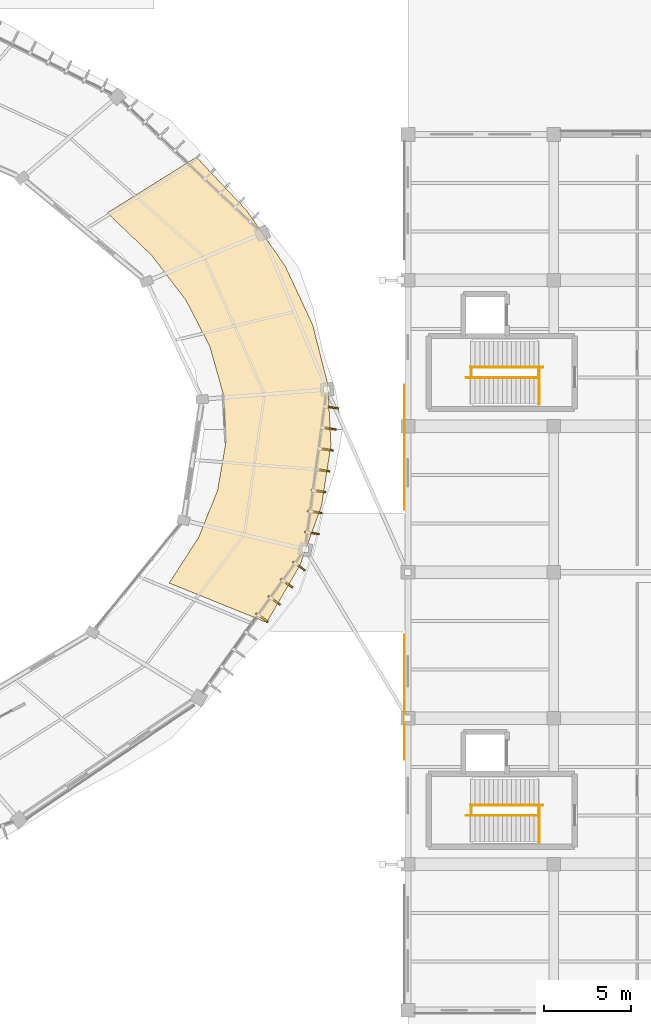
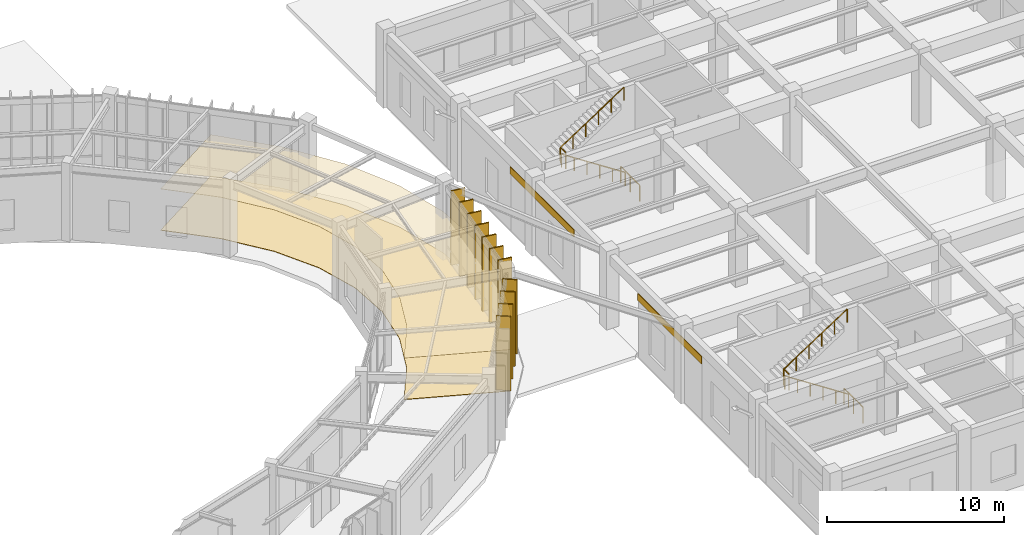
# One storey, part 155 of 157: 11 shading devices, 8 railings, 4 coverings.
"""IFC4 building model written with IfcOpenShell, lengths in metres."""

from ifc_helpers import new_model, si_unit, direction, frame, origin, origin_2d, place, context, subcontext, project, spatial, polyline, rectangle, circle, outline, extrude, material, layer, layer_set, type_object, element, save


model = new_model("IFC4")

# Units and contexts
model_context = context("Model", 3, precision=1e-05, world=origin(), true_north=direction((0.0, 1.0)))
body_context = subcontext(model_context, "Body", "Model", "MODEL_VIEW")
ifc_project = project(units=[si_unit("LENGTHUNIT", "METRE"), si_unit("AREAUNIT", "SQUARE_METRE"), si_unit("VOLUMEUNIT", "CUBIC_METRE"), si_unit("PLANEANGLEUNIT", "RADIAN"), si_unit("MASSUNIT", "GRAM", prefix="KILO"), si_unit("THERMODYNAMICTEMPERATUREUNIT", "KELVIN"), si_unit("POWERUNIT", "WATT")], contexts=[model_context])

# Site, building, storey
site_placement = place(None, origin())
site = spatial("IfcSite", under=ifc_project, at=site_placement, CompositionType="ELEMENT")
building_placement = place(site_placement, origin())
building = spatial("IfcBuilding", under=site, at=building_placement, Name="Darbajah Civic Hall", CompositionType="ELEMENT")
storey_placement = place(building_placement, origin())
storey = spatial("IfcBuildingStorey", under=building, at=storey_placement, Name="L00", CompositionType="ELEMENT", Elevation=0.0)

# Railings
ifc_material_1 = material(Name="Brushed Bronze Stainless Steel", Category="steel")
railing_type_1 = type_object("IfcRailingType", Name="Brushed Bronze Handrail", PredefinedType="HANDRAIL", material=ifc_material_1)
railing_1_placement = place(storey_placement, frame((152.1201171875, 92.800048828125, 0.168701171875)))
element("IfcRailing", 1, at=railing_1_placement, inside=storey, type_object=railing_type_1, Name="ST08 L00 lower flight handrail", PredefinedType="HANDRAIL", context=body_context, shape_type="SweptSolid", body=[
    extrude(circle(Radius=0.02392578125, at=origin_2d()), frame((-0.02294921875, 0.0, 0.910888671875), z_axis=(-0.837094212588, 0.0, 0.547058753016), x_axis=(0.0, -1.0, 0.0)), (0.0, 0.0, 1.0), 4.915283203125),
    extrude(circle(Radius=0.02099609375, at=origin_2d()), origin(), (0.0, 0.0, 1.0), 0.867919921875),
    extrude(circle(Radius=0.02099609375, at=origin_2d()), frame((-0.83203125, 0.0, 0.543701171875)), (0.0, 0.0, 1.0), 0.867919921875),
    extrude(circle(Radius=0.02099609375, at=origin_2d()), frame((-1.6640625, 0.0, 1.08740234375)), (0.0, 0.0, 1.0), 0.867919921875),
    extrude(circle(Radius=0.02099609375, at=origin_2d()), frame((-2.49609375, 0.0, 1.63134765625)), (0.0, 0.0, 1.0), 0.867919921875),
    extrude(circle(Radius=0.02099609375, at=origin_2d()), frame((-3.328125, 0.0, 2.175048828125)), (0.0, 0.0, 1.0), 0.867919921875),
    extrude(circle(Radius=0.02099609375, at=origin_2d()), frame((-4.16015625, 0.0, 2.71875)), (0.0, 0.0, 1.0), 0.867919921875),
])
railing_2_placement = place(storey_placement, frame((148.219970703125, 93.39990234375, 2.86865234375)))
element("IfcRailing", 2, at=railing_2_placement, inside=storey, type_object=railing_type_1, Name="ST08 L00 upper flight handrail", PredefinedType="HANDRAIL", context=body_context, shape_type="SweptSolid", body=[
    extrude(circle(Radius=0.02392578125, at=origin_2d()), frame((0.02294921875, 0.0, 0.910888671875), z_axis=(0.837079509808, 0.0, 0.547081250145), x_axis=(0.0, 1.0, 0.0)), (0.0, 0.0, 1.0), 4.9150390625),
    extrude(circle(Radius=0.02099609375, at=origin_2d()), origin(), (0.0, 0.0, 1.0), 0.867919921875),
    extrude(circle(Radius=0.02099609375, at=origin_2d()), frame((0.83203125, 0.0, 0.543701171875)), (0.0, 0.0, 1.0), 0.867919921875),
    extrude(circle(Radius=0.02099609375, at=origin_2d()), frame((1.6640625, 0.0, 1.08740234375)), (0.0, 0.0, 1.0), 0.867919921875),
    extrude(circle(Radius=0.02099609375, at=origin_2d()), frame((2.495849609375, 0.0, 1.63134765625)), (0.0, 0.0, 1.0), 0.867919921875),
    extrude(circle(Radius=0.02099609375, at=origin_2d()), frame((3.327880859375, 0.0, 2.175048828125)), (0.0, 0.0, 1.0), 0.867919921875),
    extrude(circle(Radius=0.02099609375, at=origin_2d()), frame((4.159912109375, 0.0, 2.71875)), (0.0, 0.0, 1.0), 0.867919921875),
])
railing_3_placement = place(storey_placement, frame((152.1201171875, 67.60009765625, 0.168701171875)))
element("IfcRailing", 3, at=railing_3_placement, inside=storey, type_object=railing_type_1, Name="ST09 L00 lower flight handrail", PredefinedType="HANDRAIL", context=body_context, shape_type="SweptSolid", body=[
    extrude(circle(Radius=0.02392578125, at=origin_2d()), frame((-0.02294921875, 0.0, 0.910888671875), z_axis=(-0.837094212588, 0.0, 0.547058753016), x_axis=(0.0, -1.0, 0.0)), (0.0, 0.0, 1.0), 4.915283203125),
    extrude(circle(Radius=0.02099609375, at=origin_2d()), origin(), (0.0, 0.0, 1.0), 0.867919921875),
    extrude(circle(Radius=0.02099609375, at=origin_2d()), frame((-0.83203125, 0.0, 0.543701171875)), (0.0, 0.0, 1.0), 0.867919921875),
    extrude(circle(Radius=0.02099609375, at=origin_2d()), frame((-1.6640625, 0.0, 1.08740234375)), (0.0, 0.0, 1.0), 0.867919921875),
    extrude(circle(Radius=0.02099609375, at=origin_2d()), frame((-2.49609375, 0.0, 1.63134765625)), (0.0, 0.0, 1.0), 0.867919921875),
    extrude(circle(Radius=0.02099609375, at=origin_2d()), frame((-3.328125, 0.0, 2.175048828125)), (0.0, 0.0, 1.0), 0.867919921875),
    extrude(circle(Radius=0.02099609375, at=origin_2d()), frame((-4.16015625, 0.0, 2.71875)), (0.0, 0.0, 1.0), 0.867919921875),
])
railing_4_placement = place(storey_placement, frame((148.219970703125, 68.199951171875, 2.86865234375)))
element("IfcRailing", 4, at=railing_4_placement, inside=storey, type_object=railing_type_1, Name="ST09 L00 upper flight handrail", PredefinedType="HANDRAIL", context=body_context, shape_type="SweptSolid", body=[
    extrude(circle(Radius=0.02392578125, at=origin_2d()), frame((0.02294921875, 0.0, 0.910888671875), z_axis=(0.837079509808, 0.0, 0.547081250145), x_axis=(0.0, 1.0, 0.0)), (0.0, 0.0, 1.0), 4.9150390625),
    extrude(circle(Radius=0.02099609375, at=origin_2d()), origin(), (0.0, 0.0, 1.0), 0.867919921875),
    extrude(circle(Radius=0.02099609375, at=origin_2d()), frame((0.83203125, 0.0, 0.543701171875)), (0.0, 0.0, 1.0), 0.867919921875),
    extrude(circle(Radius=0.02099609375, at=origin_2d()), frame((1.6640625, 0.0, 1.08740234375)), (0.0, 0.0, 1.0), 0.867919921875),
    extrude(circle(Radius=0.02099609375, at=origin_2d()), frame((2.495849609375, 0.0, 1.63134765625)), (0.0, 0.0, 1.0), 0.867919921875),
    extrude(circle(Radius=0.02099609375, at=origin_2d()), frame((3.327880859375, 0.0, 2.175048828125)), (0.0, 0.0, 1.0), 0.867919921875),
    extrude(circle(Radius=0.02099609375, at=origin_2d()), frame((4.159912109375, 0.0, 2.71875)), (0.0, 0.0, 1.0), 0.867919921875),
])

# Covering
ifc_material_2 = material(Name="Honed Qatari Limestone Terrazzo", Category="masonry")
ifc_layer_1 = layer(ifc_material_2, 0.030029296875, Name="Honed Qatari Limestone Terrazzo")
ifc_layer_set_1 = layer_set([ifc_layer_1], Name="Honed Qatari Limestone Terrazzo")
covering_type_1 = type_object("IfcCoveringType", Name="Honed Qatari Limestone Terrazzo Flooring", PredefinedType="FLOORING", material=ifc_layer_set_1)
covering_1_placement = place(storey_placement, origin())
element("IfcCovering", 5, at=covering_1_placement, inside=storey, type_object=covering_type_1, Name="L00 stone terrazzo flooring L00-V1-02", PredefinedType="FLOORING", context=body_context, shape_type="SweptSolid", body=[
    extrude(outline(polyline([(136.47900390625, 78.711669921875), (138.400634765625, 82.014404296875), (139.638671875, 85.4248046875), (140.17626953125, 88.89599609375), (140.005615234375, 92.3798828125), (139.129150390625, 95.827880859375), (137.559326171875, 99.192138671875), (135.317626953125, 102.426513671875), (132.435302734375, 105.485595703125), (127.3046875, 102.279541015625), (129.845703125, 99.845703125), (131.822021484375, 97.2724609375), (133.2060546875, 94.595703125), (133.978515625, 91.8525390625), (134.12890625, 89.080810546875), (133.6552734375, 86.319091796875), (132.563720703125, 83.605712890625), (130.86962890625, 80.97802734375), (136.47900390625, 78.711669921875)])), origin(), (0.0, 0.0, 1.0), 0.030029296875),
])

# Railings
ifc_material_3 = material(Name="Brushed Bronze and Laminated Safety Glass", Category="glass")
railing_type_2 = type_object("IfcRailingType", Name="Interior Guard Balustrade", PredefinedType="BALUSTRADE", material=ifc_material_3)
railing_5_placement = place(storey_placement, frame((152.169921875, 91.25, 0.0)))
element("IfcRailing", 6, at=railing_5_placement, inside=storey, type_object=railing_type_2, Name="ST08 L00 stair-well edge guard", PredefinedType="BALUSTRADE", context=body_context, shape_type="SweptSolid", body=[
    extrude(circle(Radius=0.02392578125, at=origin_2d()), frame((0.0, 0.02734375, 1.09619140625), z_axis=(0.0, 1.0, 0.0), x_axis=(-1.0, 0.0, 0.0)), (0.0, 0.0, 1.0), 2.09521484375),
    extrude(circle(Radius=0.02099609375, at=origin_2d()), origin(), (0.0, 0.0, 1.0), 1.068115234375),
    extrude(circle(Radius=0.02099609375, at=origin_2d()), frame((0.0, 1.074951171875, 0.0)), (0.0, 0.0, 1.0), 1.068115234375),
    extrude(circle(Radius=0.02099609375, at=origin_2d()), frame((0.0, 2.14990234375, 0.0)), (0.0, 0.0, 1.0), 1.068115234375),
])
railing_6_placement = place(storey_placement, frame((148.239990234375, 92.800048828125, 2.699951171875)))
element("IfcRailing", 7, at=railing_6_placement, inside=storey, type_object=railing_type_2, Name="ST08 L00 landing well guard", PredefinedType="BALUSTRADE", context=body_context, shape_type="SweptSolid", body=[
    extrude(circle(Radius=0.02392578125, at=origin_2d()), frame((0.0, 0.02734375, 1.09619140625), z_axis=(0.0, 1.0, 0.0), x_axis=(-1.0, 0.0, 0.0)), (0.0, 0.0, 1.0), 0.545166015625),
    extrude(circle(Radius=0.02099609375, at=origin_2d()), origin(), (0.0, 0.0, 1.0), 1.068115234375),
    extrude(circle(Radius=0.02099609375, at=origin_2d()), frame((0.0, 0.599853515625, 0.0)), (0.0, 0.0, 1.0), 1.068115234375),
])
railing_7_placement = place(storey_placement, frame((152.169921875, 66.050048828125, 0.0)))
element("IfcRailing", 8, at=railing_7_placement, inside=storey, type_object=railing_type_2, Name="ST09 L00 stair-well edge guard", PredefinedType="BALUSTRADE", context=body_context, shape_type="SweptSolid", body=[
    extrude(circle(Radius=0.02392578125, at=origin_2d()), frame((0.0, 0.02734375, 1.09619140625), z_axis=(0.0, 1.0, 0.0), x_axis=(-1.0, 0.0, 0.0)), (0.0, 0.0, 1.0), 2.09521484375),
    extrude(circle(Radius=0.02099609375, at=origin_2d()), origin(), (0.0, 0.0, 1.0), 1.068115234375),
    extrude(circle(Radius=0.02099609375, at=origin_2d()), frame((0.0, 1.074951171875, 0.0)), (0.0, 0.0, 1.0), 1.068115234375),
    extrude(circle(Radius=0.02099609375, at=origin_2d()), frame((0.0, 2.14990234375, 0.0)), (0.0, 0.0, 1.0), 1.068115234375),
])
railing_8_placement = place(storey_placement, frame((148.239990234375, 67.60009765625, 2.699951171875)))
element("IfcRailing", 9, at=railing_8_placement, inside=storey, type_object=railing_type_2, Name="ST09 L00 landing well guard", PredefinedType="BALUSTRADE", context=body_context, shape_type="SweptSolid", body=[
    extrude(circle(Radius=0.02392578125, at=origin_2d()), frame((0.0, 0.02734375, 1.09619140625), z_axis=(0.0, 1.0, 0.0), x_axis=(-1.0, 0.0, 0.0)), (0.0, 0.0, 1.0), 0.545166015625),
    extrude(circle(Radius=0.02099609375, at=origin_2d()), origin(), (0.0, 0.0, 1.0), 1.068115234375),
    extrude(circle(Radius=0.02099609375, at=origin_2d()), frame((0.0, 0.599853515625, 0.0)), (0.0, 0.0, 1.0), 1.068115234375),
])

# Coverings
ifc_material_4 = material(Name="Qatari Desert Limestone Ashlar", Category="masonry")
ifc_layer_2 = layer(ifc_material_4, 0.044921875, Name="Qatari Desert Limestone Ashlar")
ifc_layer_set_2 = layer_set([ifc_layer_2], Name="Qatari Desert Limestone Ashlar")
covering_type_2 = type_object("IfcCoveringType", Name="Limestone Facade Cladding", PredefinedType="CLADDING", material=ifc_layer_set_2)
covering_2_placement = place(storey_placement, frame((0.0, 0.0, 3.909912109375)))
element("IfcCovering", 10, at=covering_2_placement, inside=storey, type_object=covering_type_2, Name="L00 stone frieze cladding EW-V4-L00-S3-B2", PredefinedType="CLADDING", context=body_context, shape_type="SweptSolid", body=[
    extrude(outline(polyline([(144.429931640625, 92.39990234375), (144.429931640625, 85.199951171875), (144.385009765625, 85.199951171875), (144.385009765625, 92.39990234375), (144.429931640625, 92.39990234375)])), origin(), (0.0, 0.0, 1.0), 0.5),
])
covering_3_placement = place(storey_placement, frame((0.0, 0.0, 3.909912109375)))
element("IfcCovering", 11, at=covering_3_placement, inside=storey, type_object=covering_type_2, Name="L00 stone frieze cladding EW-V4-L00-S4-B0", PredefinedType="CLADDING", context=body_context, shape_type="SweptSolid", body=[
    extrude(outline(polyline([(144.429931640625, 78.0), (144.429931640625, 70.800048828125), (144.385009765625, 70.800048828125), (144.385009765625, 78.0), (144.429931640625, 78.0)])), origin(), (0.0, 0.0, 1.0), 0.5),
])
ifc_material_5 = material(Name="Perforated Acoustic Gypsum Board")
ifc_layer_3 = layer(ifc_material_5, 0.02490234375, Name="Perforated Acoustic Gypsum Board")
ifc_layer_set_3 = layer_set([ifc_layer_3], Name="Perforated Acoustic Gypsum Board")
covering_type_3 = type_object("IfcCoveringType", Name="Perforated Acoustic Gypsum Ceiling", PredefinedType="CEILING", material=ifc_layer_set_3)
covering_4_placement = place(storey_placement, frame((0.0, 0.0, 2.85009765625)))
element("IfcCovering", 12, at=covering_4_placement, inside=storey, type_object=covering_type_3, Name="L00 acoustic suspended ceiling L00-V1-02", PredefinedType="CEILING", context=body_context, shape_type="SweptSolid", body=[
    extrude(outline(polyline([(136.47900390625, 78.711669921875), (138.400634765625, 82.014404296875), (139.638671875, 85.4248046875), (140.17626953125, 88.89599609375), (140.005615234375, 92.3798828125), (139.129150390625, 95.827880859375), (137.559326171875, 99.192138671875), (135.317626953125, 102.426513671875), (132.435302734375, 105.485595703125), (127.3046875, 102.279541015625), (129.845703125, 99.845703125), (131.822021484375, 97.2724609375), (133.2060546875, 94.595703125), (133.978515625, 91.8525390625), (134.12890625, 89.080810546875), (133.6552734375, 86.319091796875), (132.563720703125, 83.605712890625), (130.86962890625, 80.97802734375), (136.47900390625, 78.711669921875)])), origin(), (0.0, 0.0, 1.0), 0.02490234375),
])

# Shading devices
ifc_material_6 = material(Name="Bronze Anodised Aluminium and Teak Composite", Category="aluminium")
shading_device_type = type_object("IfcShadingDeviceType", Name="Vertical Bronze Timber Shading Fin", PredefinedType="USERDEFINED", material=ifc_material_6)
for number, where, z_axis, x_axis, name in (
    (13, (136.20751953125, 78.990234375, 0.0), (0.0, 0.0, 1.0), (0.812999149039, -0.582264874145, 0.0), "L00 vertical shading fin VF-18-5"),
    (14, (136.915771484375, 79.9794921875, 0.0), (0.0, 0.0, 1.0), (0.812999149039, -0.582264874145, 0.0), "L00 vertical shading fin VF-18-6"),
    (15, (137.624267578125, 80.96875, 0.0), (0.0, 0.0, 1.0), (0.812999149039, -0.582264874145, 0.0), "L00 vertical shading fin VF-18-7"),
    (16, (138.33251953125, 81.9580078125, 0.0), (0.0, 0.0, 1.0), (0.812999149039, -0.582264874145, 0.0), "L00 vertical shading fin VF-18-8"),
    (17, (139.08642578125, 83.85498046875, 0.0), (0.0, 0.0, 1.0), (0.990865897387, -0.134850930274, 0.0), "L00 vertical shading fin VF-19-1"),
    (18, (139.250732421875, 85.062744140625, 0.0), (0.0, 0.0, 1.0), (0.990865897387, -0.134850930274, 0.0), "L00 vertical shading fin VF-19-2"),
    (19, (139.463623046875, 86.263916015625, 0.0), (0.0, 0.0, 1.0), (0.990865897387, -0.134850930274, 0.0), "L00 vertical shading fin VF-19-3"),
    (20, (139.687255859375, 87.463623046875, 0.0), (0.0, 0.0, 1.0), (0.990865897387, -0.134850930274, 0.0), "L00 vertical shading fin VF-19-4"),
    (21, (139.8916015625, 88.665771484375, 0.0), (0.0, 0.0, 1.0), (0.990865897387, -0.134850930274, 0.0), "L00 vertical shading fin VF-19-5"),
    (22, (140.06787109375, 89.871826171875, 0.0), (0.0, 0.0, 1.0), (0.990865897387, -0.134850930274, 0.0), "L00 vertical shading fin VF-19-6"),
    (23, (140.214111328125, 91.08203125, 0.0), (0.0, 0.0, 1.0), (0.990865897387, -0.134850930274, 0.0), "L00 vertical shading fin VF-19-7"),
):
    element("IfcShadingDevice", number, at=place(storey_placement, frame(where, z_axis=z_axis, x_axis=x_axis)), inside=storey, type_object=shading_device_type, Name=name, ObjectType="VERTICAL FIN", PredefinedType="USERDEFINED", context=body_context, shape_type="SweptSolid", body=[
        extrude(rectangle(XDim=0.85009765625, YDim=0.090087890625, at=origin_2d()), origin(), (0.0, 0.0, 1.0), 5.1201171875),
    ])

save(model, "model.ifc")
